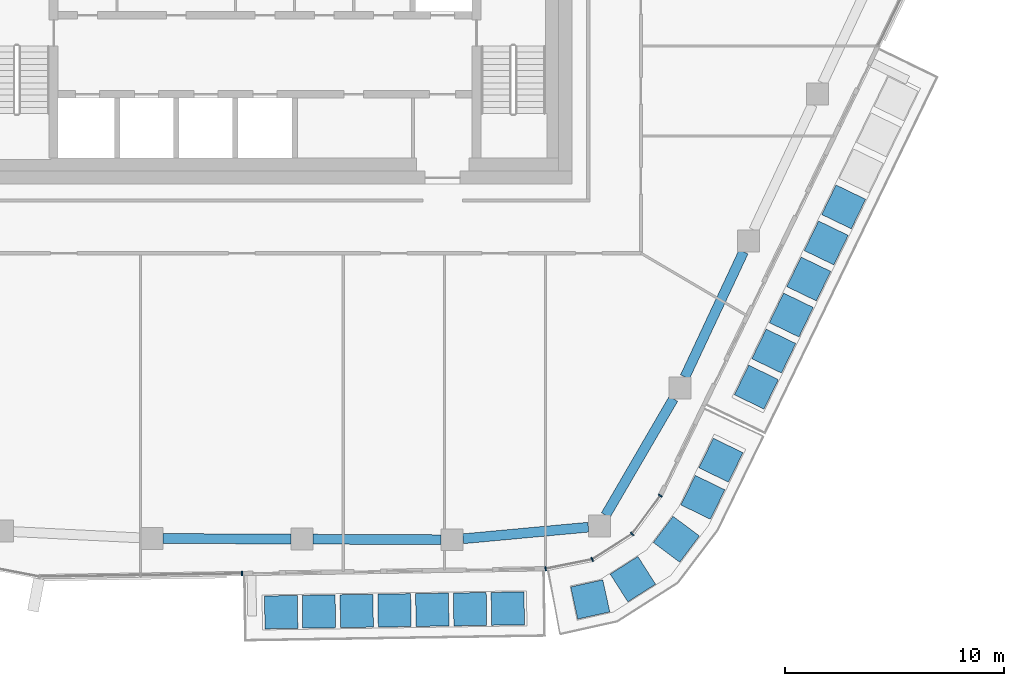
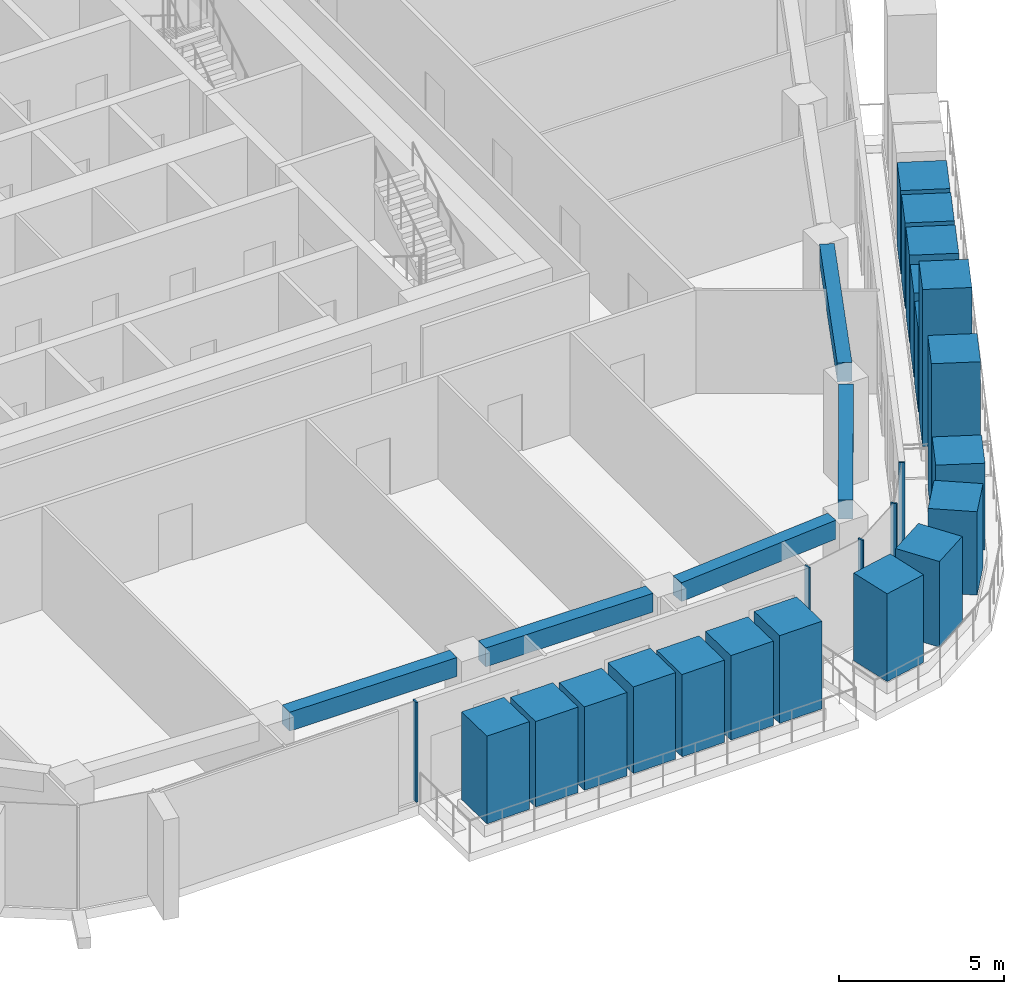
# One storey, part 4 of 24: 23 members, 5 beams, 2 elements without a shape of their own.
"""IFC4 building model written with IfcOpenShell, lengths in metres."""

from ifc_helpers import new_model, si_unit, direction, frame, origin, origin_2d, place, context, subcontext, project, spatial, rectangle, extrude, material, layer, layer_set, material_profile, profile_set, type_object, element, aggregate, save


model = new_model("IFC4")

# Units and contexts
model_context = context("Model", 3, precision=1e-05, world=origin(), true_north=direction((0.0, 1.0)))
body_context = subcontext(model_context, "Body", "Model", "MODEL_VIEW")
ifc_project = project(units=[si_unit("LENGTHUNIT", "METRE"), si_unit("AREAUNIT", "SQUARE_METRE"), si_unit("VOLUMEUNIT", "CUBIC_METRE"), si_unit("PLANEANGLEUNIT", "RADIAN"), si_unit("MASSUNIT", "GRAM", prefix="KILO")], contexts=[model_context])

# Site, building, storey
site_placement = place(None, origin())
site = spatial("IfcSite", under=ifc_project, at=site_placement, CompositionType="ELEMENT")
building_placement = place(site_placement, origin())
building = spatial("IfcBuilding", under=site, at=building_placement, Name="Dongbaek Canopy Tower", CompositionType="ELEMENT")
storey_placement = place(building_placement, frame((0.0, 0.0, 302.60009765625)))
storey = spatial("IfcBuildingStorey", under=building, at=storey_placement, Name="L64", CompositionType="ELEMENT", Elevation=302.60009765625)

# Curtain wall, member
ifc_material_1 = material(Name="Aluminium 6063-T6 pale anodised", Category="aluminium")
ifc_layer = layer(ifc_material_1, 0.199951171875)
ifc_layer_set = layer_set([ifc_layer], Name="CW-1 unitised tower curtain wall")
curtain_wall_type = type_object("IfcCurtainWallType", Name="CW-1 unitised tower curtain wall", PredefinedType="NOTDEFINED", material=ifc_layer_set)
curtain_wall_1_placement = place(storey_placement, origin())
curtain_wall_1 = element("IfcCurtainWall", 1, at=curtain_wall_1_placement, inside=storey, type_object=curtain_wall_type, Name="CW-1 curtain wall F4.1", PredefinedType="NOTDEFINED")
ifc_material_2 = material(Name="Aluminium 6063-T6 pale anodised", Category="aluminium")
ifc_material_profile_1 = material_profile(ifc_material_2, rectangle(XDim=0.199951171875, YDim=0.06005859375, at=origin_2d()), Name="CW-1 mullion 60 x 200")
ifc_profile_set_1 = profile_set([ifc_material_profile_1], Name="Aluminium 6063-T6 pale anodised")
member_type_1 = type_object("IfcMemberType", Name="CW-1 mullion 60 x 200", PredefinedType="MULLION", material=ifc_profile_set_1)
member_1_placement = place(storey_placement, frame((-1.054931640625, -28.767333984375, 0.119873046875), z_axis=(0.0, 0.0, 1.0), x_axis=(0.015683964455, -0.999876999065, 0.0)))
member_1 = element("IfcMember", 2, at=member_1_placement, type_object=member_type_1, Name="CW-1 mullion F4.1.3", PredefinedType="MULLION", context=body_context, shape_type="SweptSolid", body=[
    extrude(rectangle(XDim=0.199951171875, YDim=0.06005859375, at=origin_2d()), origin(), (0.0, 0.0, 1.0), 3.699951171875),
])
aggregate(curtain_wall_1, [member_1])

# Curtain wall, members
curtain_wall_2_placement = place(storey_placement, origin())
curtain_wall_2 = element("IfcCurtainWall", 3, at=curtain_wall_2_placement, inside=storey, type_object=curtain_wall_type, Name="CW-1 curtain wall K5.1", PredefinedType="NOTDEFINED")
member_2_placement = place(storey_placement, frame((12.801513671875, -28.550048828125, 0.0), z_axis=(0.0, 0.0, 1.0), x_axis=(0.19837890647, -0.98012540497, 0.0)))
member_2 = element("IfcMember", 4, at=member_2_placement, type_object=member_type_1, Name="CW-1 mullion K5.1.1", PredefinedType="MULLION", context=body_context, shape_type="SweptSolid", body=[
    extrude(rectangle(XDim=0.199951171875, YDim=0.06005859375, at=origin_2d()), origin(), (0.0, 0.0, 1.0), 3.81982421875),
])
member_3_placement = place(storey_placement, frame((14.92626953125, -28.119873046875, 0.0), z_axis=(0.0, 0.0, 1.0), x_axis=(0.374375075408, -0.927277360294, 0.0)))
member_3 = element("IfcMember", 5, at=member_3_placement, type_object=member_type_1, Name="CW-1 mullion K5.1.2", PredefinedType="MULLION", context=body_context, shape_type="SweptSolid", body=[
    extrude(rectangle(XDim=0.199951171875, YDim=0.06005859375, at=origin_2d()), origin(), (0.0, 0.0, 1.0), 3.81982421875),
])
member_4_placement = place(storey_placement, frame((16.746337890625, -26.959228515625, 0.0), z_axis=(0.0, 0.0, 1.0), x_axis=(0.68292612479, -0.730487445531, 0.0)))
member_4 = element("IfcMember", 6, at=member_4_placement, type_object=member_type_1, Name="CW-1 mullion K5.1.3", PredefinedType="MULLION", context=body_context, shape_type="SweptSolid", body=[
    extrude(rectangle(XDim=0.199951171875, YDim=0.06005859375, at=origin_2d()), origin(), (0.0, 0.0, 1.0), 3.81982421875),
])
member_5_placement = place(storey_placement, frame((18.0322265625, -25.2138671875, 0.0), z_axis=(0.0, 0.0, 1.0), x_axis=(0.805061986906, -0.593190692138, 0.0)))
member_5 = element("IfcMember", 7, at=member_5_placement, type_object=member_type_1, Name="CW-1 mullion K5.1.4", PredefinedType="MULLION", context=body_context, shape_type="SweptSolid", body=[
    extrude(rectangle(XDim=0.199951171875, YDim=0.06005859375, at=origin_2d()), origin(), (0.0, 0.0, 1.0), 3.81982421875),
])
aggregate(curtain_wall_2, [member_2, member_3, member_4, member_5])

# Beams
ifc_material_3 = material(Name="Concrete C60", Category="concrete")
ifc_material_profile_2 = material_profile(ifc_material_3, rectangle(XDim=0.449951171875, YDim=0.699951171875, at=origin_2d()), Name="RC EDGE BEAM 450x700 C60")
ifc_profile_set_2 = profile_set([ifc_material_profile_2], Name="Concrete C60")
beam_type = type_object("IfcBeamType", Name="RC EDGE BEAM 450x700 C60", PredefinedType="BEAM", material=ifc_profile_set_2)
beam_1_placement = place(storey_placement, frame((14.751953125, -26.653076171875, 3.469970703125), z_axis=(-0.995766439544, -0.091919518479, 0.0), x_axis=(0.091919518479, -0.995766439544, 0.0)))
element("IfcBeam", 8, at=beam_1_placement, inside=storey, type_object=beam_type, Name="EDGEBEAM:L64:00", PredefinedType="BEAM", context=body_context, shape_type="SweptSolid", body=[
    extrude(rectangle(XDim=0.449951171875, YDim=0.699951171875, at=origin_2d()), origin(), (0.0, 0.0, 1.0), 5.742431640625),
])
beam_2_placement = place(storey_placement, frame((8.033935546875, -27.224853515625, 3.469970703125), z_axis=(-0.999990401851, 0.004381347473, 0.0), x_axis=(-0.004381347473, -0.999990401851, 0.0)))
element("IfcBeam", 9, at=beam_2_placement, inside=storey, type_object=beam_type, Name="EDGEBEAM:L64:01", PredefinedType="BEAM", context=body_context, shape_type="SweptSolid", body=[
    extrude(rectangle(XDim=0.449951171875, YDim=0.699951171875, at=origin_2d()), origin(), (0.0, 0.0, 1.0), 5.850830078125),
])
beam_3_placement = place(storey_placement, frame((1.18310546875, -27.19482421875, 3.469970703125), z_axis=(-0.999990396242, 0.004382627582, 0.0), x_axis=(-0.004382627582, -0.999990396242, 0.0)))
element("IfcBeam", 10, at=beam_3_placement, inside=storey, type_object=beam_type, Name="EDGEBEAM:L64:02", PredefinedType="BEAM", context=body_context, shape_type="SweptSolid", body=[
    extrude(rectangle(XDim=0.449951171875, YDim=0.699951171875, at=origin_2d()), origin(), (0.0, 0.0, 1.0), 5.84912109375),
])
beam_4_placement = place(storey_placement, frame((21.833740234375, -14.087890625, 3.469970703125), z_axis=(-0.424294949226, -0.905524044993, 0.0), x_axis=(0.905524044993, -0.424294949226, 0.0)))
element("IfcBeam", 11, at=beam_4_placement, inside=storey, type_object=beam_type, Name="EDGEBEAM:L64:24", PredefinedType="BEAM", context=body_context, shape_type="SweptSolid", body=[
    extrude(rectangle(XDim=0.449951171875, YDim=0.699951171875, at=origin_2d()), origin(), (0.0, 0.0, 1.0), 6.303466796875),
])
beam_5_placement = place(storey_placement, frame((18.634033203125, -20.7958984375, 3.469970703125), z_axis=(-0.503016078482, -0.864277053258, 0.0), x_axis=(0.864277053258, -0.503016078482, 0.0)))
element("IfcBeam", 12, at=beam_5_placement, inside=storey, type_object=beam_type, Name="EDGEBEAM:L64:25", PredefinedType="BEAM", context=body_context, shape_type="SweptSolid", body=[
    extrude(rectangle(XDim=0.449951171875, YDim=0.699951171875, at=origin_2d()), origin(), (0.0, 0.0, 1.0), 6.14501953125),
])

# Members
ifc_material_4 = material(Name="Concrete C40/50 planter mass with planting", Category="concrete")
ifc_material_profile_3 = material_profile(ifc_material_4, rectangle(XDim=1.5, YDim=1.5, at=origin_2d()), Name="Terrace PLANTER shrub mass 1500 x 1500")
ifc_profile_set_3 = profile_set([ifc_material_profile_3], Name="Concrete C40/50 planter mass with planting")
member_type_2 = type_object("IfcMemberType", Name="Terrace PLANTER shrub mass 1500 x 1500", PredefinedType="USERDEFINED", material=ifc_profile_set_3)
member_6_placement = place(storey_placement, frame((0.73486328125, -30.529541015625, 0.419921875), z_axis=(0.0, 0.0, 1.0), x_axis=(0.015683964455, -0.999876999065, 0.0)))
element("IfcMember", 13, at=member_6_placement, inside=storey, type_object=member_type_2, Name="Planter shrubs L64 4.1", ObjectType="PLANTER", PredefinedType="USERDEFINED", context=body_context, shape_type="SweptSolid", body=[
    extrude(rectangle(XDim=1.5, YDim=1.5, at=origin_2d()), origin(), (0.0, 0.0, 1.0), 3.25),
])
member_7_placement = place(storey_placement, frame((2.458740234375, -30.50244140625, 0.419921875), z_axis=(0.0, 0.0, 1.0), x_axis=(0.015683964455, -0.999876999065, 0.0)))
element("IfcMember", 14, at=member_7_placement, inside=storey, type_object=member_type_2, Name="Planter shrubs L64 4.2", ObjectType="PLANTER", PredefinedType="USERDEFINED", context=body_context, shape_type="SweptSolid", body=[
    extrude(rectangle(XDim=1.5, YDim=1.5, at=origin_2d()), origin(), (0.0, 0.0, 1.0), 3.169921875),
])
member_8_placement = place(storey_placement, frame((4.182373046875, -30.475341796875, 0.419921875), z_axis=(0.0, 0.0, 1.0), x_axis=(0.015683964455, -0.999876999065, 0.0)))
element("IfcMember", 15, at=member_8_placement, inside=storey, type_object=member_type_2, Name="Planter shrubs L64 4.3", ObjectType="PLANTER", PredefinedType="USERDEFINED", context=body_context, shape_type="SweptSolid", body=[
    extrude(rectangle(XDim=1.5, YDim=1.5, at=origin_2d()), origin(), (0.0, 0.0, 1.0), 3.090087890625),
])
member_9_placement = place(storey_placement, frame((5.906005859375, -30.4482421875, 0.419921875), z_axis=(0.0, 0.0, 1.0), x_axis=(0.015683964455, -0.999876999065, 0.0)))
element("IfcMember", 16, at=member_9_placement, inside=storey, type_object=member_type_2, Name="Planter shrubs L64 4.4", ObjectType="PLANTER", PredefinedType="USERDEFINED", context=body_context, shape_type="SweptSolid", body=[
    extrude(rectangle(XDim=1.5, YDim=1.5, at=origin_2d()), origin(), (0.0, 0.0, 1.0), 3.2099609375),
])
member_10_placement = place(storey_placement, frame((7.629638671875, -30.42138671875, 0.419921875), z_axis=(0.0, 0.0, 1.0), x_axis=(0.015683964455, -0.999876999065, 0.0)))
element("IfcMember", 17, at=member_10_placement, inside=storey, type_object=member_type_2, Name="Planter shrubs L64 4.5", ObjectType="PLANTER", PredefinedType="USERDEFINED", context=body_context, shape_type="SweptSolid", body=[
    extrude(rectangle(XDim=1.5, YDim=1.5, at=origin_2d()), origin(), (0.0, 0.0, 1.0), 3.050048828125),
])
member_11_placement = place(storey_placement, frame((9.353515625, -30.394287109375, 0.419921875), z_axis=(0.0, 0.0, 1.0), x_axis=(0.015683964455, -0.999876999065, 0.0)))
element("IfcMember", 18, at=member_11_placement, inside=storey, type_object=member_type_2, Name="Planter shrubs L64 4.6", ObjectType="PLANTER", PredefinedType="USERDEFINED", context=body_context, shape_type="SweptSolid", body=[
    extrude(rectangle(XDim=1.5, YDim=1.5, at=origin_2d()), origin(), (0.0, 0.0, 1.0), 3.1298828125),
])
member_12_placement = place(storey_placement, frame((11.0771484375, -30.3671875, 0.419921875), z_axis=(0.0, 0.0, 1.0), x_axis=(0.015683964455, -0.999876999065, 0.0)))
element("IfcMember", 19, at=member_12_placement, inside=storey, type_object=member_type_2, Name="Planter shrubs L64 4.7", ObjectType="PLANTER", PredefinedType="USERDEFINED", context=body_context, shape_type="SweptSolid", body=[
    extrude(rectangle(XDim=1.5, YDim=1.5, at=origin_2d()), origin(), (0.0, 0.0, 1.0), 3.25),
])
member_13_placement = place(storey_placement, frame((22.41845703125, -20.263916015625, 0.419921875), z_axis=(0.0, 0.0, 1.0), x_axis=(0.900012864193, -0.435863332121, 0.0)))
element("IfcMember", 20, at=member_13_placement, inside=storey, type_object=member_type_2, Name="Planter tree L64 5.1", ObjectType="PLANTER", PredefinedType="USERDEFINED", context=body_context, shape_type="SweptSolid", body=[
    extrude(rectangle(XDim=1.5, YDim=1.5, at=origin_2d()), origin(), (0.0, 0.0, 1.0), 5.81005859375),
])
member_14_placement = place(storey_placement, frame((23.215087890625, -18.618896484375, 0.419921875), z_axis=(0.0, 0.0, 1.0), x_axis=(0.900012864193, -0.435863332121, 0.0)))
element("IfcMember", 21, at=member_14_placement, inside=storey, type_object=member_type_2, Name="Planter shrubs L64 5.2", ObjectType="PLANTER", PredefinedType="USERDEFINED", context=body_context, shape_type="SweptSolid", body=[
    extrude(rectangle(XDim=1.5, YDim=1.5, at=origin_2d()), origin(), (0.0, 0.0, 1.0), 3.050048828125),
])
member_15_placement = place(storey_placement, frame((24.01171875, -16.973876953125, 0.419921875), z_axis=(0.0, 0.0, 1.0), x_axis=(0.900012864193, -0.435863332121, 0.0)))
element("IfcMember", 22, at=member_15_placement, inside=storey, type_object=member_type_2, Name="Planter shrubs L64 5.3", ObjectType="PLANTER", PredefinedType="USERDEFINED", context=body_context, shape_type="SweptSolid", body=[
    extrude(rectangle(XDim=1.5, YDim=1.5, at=origin_2d()), origin(), (0.0, 0.0, 1.0), 3.1298828125),
])
member_16_placement = place(storey_placement, frame((24.80810546875, -15.3291015625, 0.419921875), z_axis=(0.0, 0.0, 1.0), x_axis=(0.900012864193, -0.435863332121, 0.0)))
element("IfcMember", 23, at=member_16_placement, inside=storey, type_object=member_type_2, Name="Planter shrubs L64 5.4", ObjectType="PLANTER", PredefinedType="USERDEFINED", context=body_context, shape_type="SweptSolid", body=[
    extrude(rectangle(XDim=1.5, YDim=1.5, at=origin_2d()), origin(), (0.0, 0.0, 1.0), 3.25),
])
member_17_placement = place(storey_placement, frame((25.604736328125, -13.68408203125, 0.419921875), z_axis=(0.0, 0.0, 1.0), x_axis=(0.900012864193, -0.435863332121, 0.0)))
element("IfcMember", 24, at=member_17_placement, inside=storey, type_object=member_type_2, Name="Planter shrubs L64 5.5", ObjectType="PLANTER", PredefinedType="USERDEFINED", context=body_context, shape_type="SweptSolid", body=[
    extrude(rectangle(XDim=1.5, YDim=1.5, at=origin_2d()), origin(), (0.0, 0.0, 1.0), 3.169921875),
])
member_18_placement = place(storey_placement, frame((26.4013671875, -12.039306640625, 0.419921875), z_axis=(0.0, 0.0, 1.0), x_axis=(0.900012864193, -0.435863332121, 0.0)))
element("IfcMember", 25, at=member_18_placement, inside=storey, type_object=member_type_2, Name="Planter shrubs L64 5.6", ObjectType="PLANTER", PredefinedType="USERDEFINED", context=body_context, shape_type="SweptSolid", body=[
    extrude(rectangle(XDim=1.5, YDim=1.5, at=origin_2d()), origin(), (0.0, 0.0, 1.0), 3.090087890625),
])
member_19_placement = place(storey_placement, frame((14.837890625, -29.949462890625, 0.419921875), z_axis=(0.0, 0.0, 1.0), x_axis=(0.216327066433, -0.976320951495, 0.0)))
element("IfcMember", 26, at=member_19_placement, inside=storey, type_object=member_type_2, Name="Planter shrubs L64 8.1", ObjectType="PLANTER", PredefinedType="USERDEFINED", context=body_context, shape_type="SweptSolid", body=[
    extrude(rectangle(XDim=1.5, YDim=1.5, at=origin_2d()), origin(), (0.0, 0.0, 1.0), 3.25),
])
member_20_placement = place(storey_placement, frame((16.783447265625, -29.024658203125, 0.419921875), z_axis=(0.0, 0.0, 1.0), x_axis=(0.53772950879, -0.843117414941, 0.0)))
element("IfcMember", 27, at=member_20_placement, inside=storey, type_object=member_type_2, Name="Planter shrubs L64 8.2", ObjectType="PLANTER", PredefinedType="USERDEFINED", context=body_context, shape_type="SweptSolid", body=[
    extrude(rectangle(XDim=1.5, YDim=1.5, at=origin_2d()), origin(), (0.0, 0.0, 1.0), 3.169921875),
])
member_21_placement = place(storey_placement, frame((18.767578125, -27.203369140625, 0.419921875), z_axis=(0.0, 0.0, 1.0), x_axis=(0.800267717706, -0.599642877051, 0.0)))
element("IfcMember", 28, at=member_21_placement, inside=storey, type_object=member_type_2, Name="Planter shrubs L64 8.3", ObjectType="PLANTER", PredefinedType="USERDEFINED", context=body_context, shape_type="SweptSolid", body=[
    extrude(rectangle(XDim=1.5, YDim=1.5, at=origin_2d()), origin(), (0.0, 0.0, 1.0), 3.090087890625),
])
member_22_placement = place(storey_placement, frame((19.977294921875, -25.2919921875, 0.419921875), z_axis=(0.0, 0.0, 1.0), x_axis=(0.899184228152, -0.437570250179, 0.0)))
element("IfcMember", 29, at=member_22_placement, inside=storey, type_object=member_type_2, Name="Planter shrubs L64 8.4", ObjectType="PLANTER", PredefinedType="USERDEFINED", context=body_context, shape_type="SweptSolid", body=[
    extrude(rectangle(XDim=1.5, YDim=1.5, at=origin_2d()), origin(), (0.0, 0.0, 1.0), 3.2099609375),
])
member_23_placement = place(storey_placement, frame((20.801513671875, -23.59814453125, 0.419921875), z_axis=(0.0, 0.0, 1.0), x_axis=(0.899184228152, -0.437570250179, 0.0)))
element("IfcMember", 30, at=member_23_placement, inside=storey, type_object=member_type_2, Name="Planter tree L64 8.5", ObjectType="PLANTER", PredefinedType="USERDEFINED", context=body_context, shape_type="SweptSolid", body=[
    extrude(rectangle(XDim=1.5, YDim=1.5, at=origin_2d()), origin(), (0.0, 0.0, 1.0), 5.64990234375),
])

save(model, "model.ifc")
